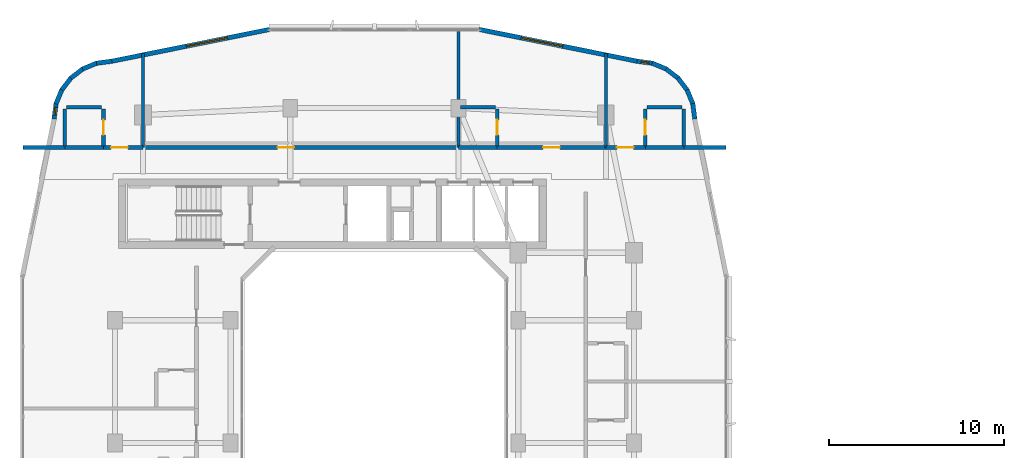
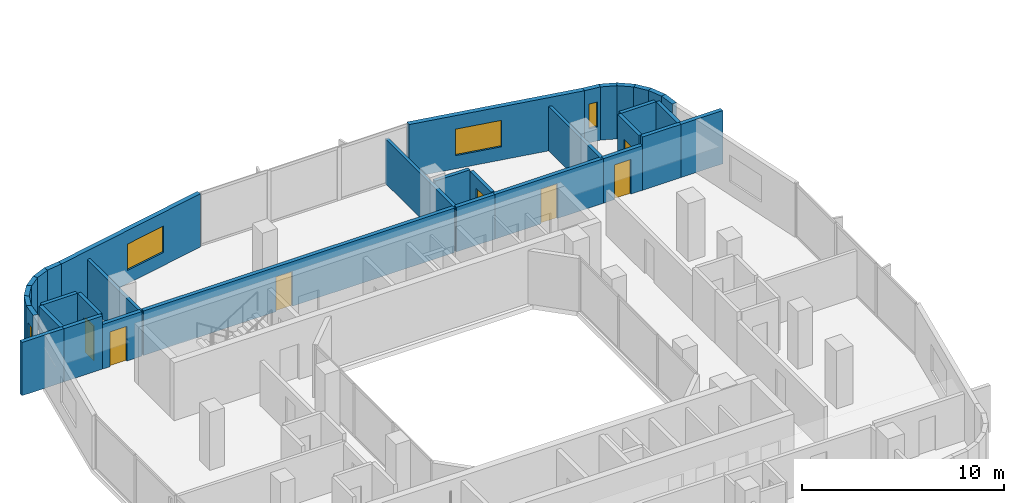
# One storey, part 16 of 26: 34 walls, 7 doors, 4 windows, 11 openings.
"""IFC4 building model written with IfcOpenShell, lengths in metres."""

from ifc_helpers import new_model, si_unit, derived_unit, direction, frame, frame_2d, origin, place, context, subcontext, project, spatial, rectangle, extrude, material, layer, layer_set, type_object, element, fill, save


model = new_model("IFC4")

# Units and contexts
model_context = context("Model", 3, precision=1e-05, world=origin(), true_north=direction((0.0, 1.0)))
body_context = subcontext(model_context, "Body", "Model", "MODEL_VIEW")
ifc_project = project(units=[si_unit("LENGTHUNIT", "METRE"), si_unit("AREAUNIT", "SQUARE_METRE"), si_unit("VOLUMEUNIT", "CUBIC_METRE"), si_unit("PLANEANGLEUNIT", "RADIAN"), si_unit("MASSUNIT", "GRAM", prefix="KILO"), derived_unit("THERMALTRANSMITTANCEUNIT", [(si_unit("POWERUNIT", "WATT"), 1), (si_unit("LENGTHUNIT", "METRE"), -2), (si_unit("THERMODYNAMICTEMPERATUREUNIT", "KELVIN"), -1)])], contexts=[model_context])

# Site, building, storey
site_placement = place(None, origin())
site = spatial("IfcSite", under=ifc_project, at=site_placement, CompositionType="ELEMENT")
building_placement = place(site_placement, origin())
building = spatial("IfcBuilding", under=site, at=building_placement, Name="Kivonza Crest Hotel", CompositionType="ELEMENT")
storey_placement = place(building_placement, frame((0.0, 0.0, 127.5)))
storey = spatial("IfcBuildingStorey", under=building, at=storey_placement, Name="L34", CompositionType="ELEMENT", Elevation=127.5)

# Walls
ifc_material_1 = material(Name="High-density acoustic masonry inter-tenancy wall", Category="masonry")
ifc_layer_1 = layer(ifc_material_1, 0.179931640625)
ifc_layer_set_1 = layer_set([ifc_layer_1], Name="High-density acoustic masonry inter-tenancy wall")
wall_type_1 = type_object("IfcWallType", Name="WL-ACOU-180", PredefinedType="SOLIDWALL", material=ifc_layer_set_1)
wall_1_placement = place(storey_placement, frame((7.800048828125, 38.35009765625, 0.0), z_axis=(0.0, 0.0, 1.0), x_axis=(0.0, 1.0, 0.0)))
element("IfcWall", 1, at=wall_1_placement, inside=storey, type_object=wall_type_1, Name="L34 interior partition WA-L34-T1N-DIV1", PredefinedType="SOLIDWALL", context=body_context, shape_type="SweptSolid", body=[
    extrude(rectangle(XDim=5.350830078125, YDim=0.179931640625, at=frame_2d((2.67529296875, 0.0))), origin(), (0.0, 0.0, 1.0), 2.695068359375),
])
wall_2_placement = place(storey_placement, frame((25.800048828125, 38.35009765625, 0.0), z_axis=(0.0, 0.0, 1.0), x_axis=(0.0, 1.0, 0.0)))
element("IfcWall", 2, at=wall_2_placement, inside=storey, type_object=wall_type_1, Name="L34 interior partition WA-L34-T1N-DIV2", PredefinedType="SOLIDWALL", context=body_context, shape_type="SweptSolid", body=[
    extrude(rectangle(XDim=6.789794921875, YDim=0.179931640625, at=frame_2d((3.39501953125, 0.0))), origin(), (0.0, 0.0, 1.0), 2.695068359375),
])
wall_3_placement = place(storey_placement, frame((34.199951171875, 38.35009765625, 0.0), z_axis=(0.0, 0.0, 1.0), x_axis=(0.0, 1.0, 0.0)))
element("IfcWall", 3, at=wall_3_placement, inside=storey, type_object=wall_type_1, Name="L34 interior partition WA-L34-T1N-DIV3", PredefinedType="SOLIDWALL", context=body_context, shape_type="SweptSolid", body=[
    extrude(rectangle(XDim=5.350830078125, YDim=0.179931640625, at=frame_2d((2.67529296875, 0.0))), origin(), (0.0, 0.0, 1.0), 2.695068359375),
])
ifc_material_2 = material(Name="Autoclaved aerated concrete blockwork", Category="masonry")
ifc_layer_2 = layer(ifc_material_2, 0.219970703125)
ifc_layer_set_2 = layer_set([ifc_layer_2], Name="Autoclaved aerated concrete blockwork")
wall_type_2 = type_object("IfcWallType", Name="WL-ACOU-220", PredefinedType="SOLIDWALL", material=ifc_layer_set_2)
wall_4_placement = place(storey_placement, frame((0.9599609375, 38.35009765625, 0.0), z_axis=(0.0, 0.0, 1.0), x_axis=(1.0, 0.0, 0.0)))
element("IfcWall", 4, at=wall_4_placement, inside=storey, type_object=wall_type_2, Name="L34 interior partition WA-L34-N01-XCORR", PredefinedType="SOLIDWALL", context=body_context, shape_type="SweptSolid", body=[
    extrude(rectangle(XDim=2.39013671875, YDim=0.219970703125, at=frame_2d((1.195068359375, 0.0))), origin(), (0.0, 0.0, 1.0), 3.219970703125),
])
wall_5_placement = place(storey_placement, frame((3.35009765625, 38.35009765625, 0.0), z_axis=(0.0, 0.0, 1.0), x_axis=(1.0, 0.0, 0.0)))
element("IfcWall", 5, at=wall_5_placement, inside=storey, type_object=wall_type_2, Name="L34 interior partition WA-L34-N01-BCORR", PredefinedType="SOLIDWALL", context=body_context, shape_type="SweptSolid", body=[
    extrude(rectangle(XDim=2.199951171875, YDim=0.219970703125, at=frame_2d((1.10009765625, 0.0))), origin(), (0.0, 0.0, 1.0), 3.219970703125),
])

# Wall, opening, door
wall_6_placement = place(storey_placement, frame((5.550048828125, 38.35009765625, 0.0), z_axis=(0.0, 0.0, 1.0), x_axis=(1.0, 0.0, 0.0)))
wall_6 = element("IfcWall", 6, at=wall_6_placement, inside=storey, type_object=wall_type_2, Name="L34 interior partition WA-L34-N01-MCORR", PredefinedType="SOLIDWALL", context=body_context, shape_type="SweptSolid", body=[
    extrude(rectangle(XDim=2.25, YDim=0.219970703125, at=frame_2d((1.125, 0.0))), origin(), (0.0, 0.0, 1.0), 2.695068359375),
])
opening_1_placement = place(wall_6_placement, frame((0.43994140625, 0.0, 0.0)))
opening_1 = element("IfcOpeningElement", 7, at=opening_1_placement, cuts=wall_6, Name="Opening DU-60", PredefinedType="OPENING", context=body_context, shape_type="SweptSolid", body=[
    extrude(rectangle(XDim=0.949951171875, YDim=2.10009765625, at=frame_2d((0.47509765625, 1.050048828125))), frame((0.0, 0.1201171875, 0.0), z_axis=(0.0, -1.0, 0.0), x_axis=(1.0, 0.0, 0.0)), (0.0, 0.0, 1.0), 0.239990234375),
])
ifc_material_3 = material(Name="Hardwood timber oak", Category="wood")
door_type_1 = type_object("IfcDoorType", Name="DR-UNIT-950", OperationType="NOTDEFINED", PredefinedType="DOOR", material=ifc_material_3)
door_1_placement = place(opening_1_placement, origin())
door_1 = element("IfcDoor", 8, at=door_1_placement, inside=storey, type_object=door_type_1, Name="L34 N01 guest unit entrance fire door", OperationType="SINGLE_SWING_LEFT", OverallHeight=2.10009765625, OverallWidth=0.949951171875, PredefinedType="DOOR", context=body_context, shape_type="SweptSolid", body=[
    extrude(rectangle(XDim=0.949951171875, YDim=2.10009765625, at=frame_2d((0.47509765625, 1.050048828125))), frame((0.0, 0.02490234375, 0.0), z_axis=(0.0, -1.0, 0.0), x_axis=(1.0, 0.0, 0.0)), (0.0, 0.0, 1.0), 0.050048828125),
])
fill(opening_1, door_1)

wall_7_placement = place(storey_placement, frame((7.89990234375, 38.35009765625, 0.0), z_axis=(0.0, 0.0, 1.0), x_axis=(1.0, 0.0, 0.0)))
wall_7 = element("IfcWall", 9, at=wall_7_placement, inside=storey, type_object=wall_type_2, Name="L34 interior partition WA-L34-HK-MAIN-S", PredefinedType="SOLIDWALL", context=body_context, shape_type="SweptSolid", body=[
    extrude(rectangle(XDim=17.800048828125, YDim=0.219970703125, at=frame_2d((8.89990234375, 0.0))), origin(), (0.0, 0.0, 1.0), 2.695068359375),
])
opening_2_placement = place(wall_7_placement, frame((7.572998046875, 0.0, 0.0)))
opening_2 = element("IfcOpeningElement", 10, at=opening_2_placement, cuts=wall_7, Name="Opening DF-60S", PredefinedType="OPENING", context=body_context, shape_type="SweptSolid", body=[
    extrude(rectangle(XDim=0.949951171875, YDim=2.10009765625, at=frame_2d((0.47509765625, 1.050048828125))), frame((0.0, 0.1201171875, 0.0), z_axis=(0.0, -1.0, 0.0), x_axis=(1.0, 0.0, 0.0)), (0.0, 0.0, 1.0), 0.239990234375),
])
door_type_2 = type_object("IfcDoorType", Name="DR-FD60-950", OperationType="NOTDEFINED", PredefinedType="DOOR", material=ifc_material_3)
door_2_placement = place(opening_2_placement, origin())
door_2 = element("IfcDoor", 11, at=door_2_placement, inside=storey, type_object=door_type_2, Name="L34 Housekeeping and Linen Room door", OperationType="SINGLE_SWING_RIGHT", OverallHeight=2.10009765625, OverallWidth=0.949951171875, PredefinedType="DOOR", context=body_context, shape_type="SweptSolid", body=[
    extrude(rectangle(XDim=0.949951171875, YDim=2.10009765625, at=frame_2d((0.47509765625, 1.050048828125))), frame((0.0, 0.02490234375, 0.0), z_axis=(0.0, -1.0, 0.0), x_axis=(1.0, 0.0, 0.0)), (0.0, 0.0, 1.0), 0.050048828125),
])
fill(opening_2, door_2)

# Wall
wall_8_placement = place(storey_placement, frame((25.800048828125, 38.35009765625, 0.0), z_axis=(0.0, 0.0, 1.0), x_axis=(1.0, 0.0, 0.0)))
element("IfcWall", 12, at=wall_8_placement, inside=storey, type_object=wall_type_2, Name="L34 interior partition WA-L34-N02-BCORR", PredefinedType="SOLIDWALL", context=body_context, shape_type="SweptSolid", body=[
    extrude(rectangle(XDim=2.199951171875, YDim=0.219970703125, at=frame_2d((1.10009765625, 0.0))), origin(), (0.0, 0.0, 1.0), 2.695068359375),
])

# Wall, opening, door
wall_9_placement = place(storey_placement, frame((28.0, 38.35009765625, 0.0), z_axis=(0.0, 0.0, 1.0), x_axis=(1.0, 0.0, 0.0)))
wall_9 = element("IfcWall", 13, at=wall_9_placement, inside=storey, type_object=wall_type_2, Name="L34 interior partition WA-L34-N02-MCORR", PredefinedType="SOLIDWALL", context=body_context, shape_type="SweptSolid", body=[
    extrude(rectangle(XDim=6.199951171875, YDim=0.219970703125, at=frame_2d((3.10009765625, 0.0))), origin(), (0.0, 0.0, 1.0), 2.695068359375),
])
opening_3_placement = place(wall_9_placement, frame((2.625, 0.0, 0.0)))
opening_3 = element("IfcOpeningElement", 14, at=opening_3_placement, cuts=wall_9, Name="Opening DU-60", PredefinedType="OPENING", context=body_context, shape_type="SweptSolid", body=[
    extrude(rectangle(XDim=0.949951171875, YDim=2.10009765625, at=frame_2d((0.47509765625, 1.050048828125))), frame((0.0, 0.1201171875, 0.0), z_axis=(0.0, -1.0, 0.0), x_axis=(1.0, 0.0, 0.0)), (0.0, 0.0, 1.0), 0.239990234375),
])
door_3_placement = place(opening_3_placement, origin())
door_3 = element("IfcDoor", 15, at=door_3_placement, inside=storey, type_object=door_type_1, Name="L34 N02 guest unit entrance fire door", OperationType="SINGLE_SWING_RIGHT", OverallHeight=2.10009765625, OverallWidth=0.949951171875, PredefinedType="DOOR", context=body_context, shape_type="SweptSolid", body=[
    extrude(rectangle(XDim=0.949951171875, YDim=2.10009765625, at=frame_2d((0.47509765625, 1.050048828125))), frame((0.0, 0.02490234375, 0.0), z_axis=(0.0, -1.0, 0.0), x_axis=(1.0, 0.0, 0.0)), (0.0, 0.0, 1.0), 0.050048828125),
])
fill(opening_3, door_3)

# Walls
wall_10_placement = place(storey_placement, frame((38.64990234375, 38.35009765625, 0.0), z_axis=(0.0, 0.0, 1.0), x_axis=(1.0, 0.0, 0.0)))
element("IfcWall", 16, at=wall_10_placement, inside=storey, type_object=wall_type_2, Name="L34 interior partition WA-L34-N03-XCORR", PredefinedType="SOLIDWALL", context=body_context, shape_type="SweptSolid", body=[
    extrude(rectangle(XDim=2.39013671875, YDim=0.219970703125, at=frame_2d((1.195068359375, 0.0))), origin(), (0.0, 0.0, 1.0), 3.219970703125),
])
wall_11_placement = place(storey_placement, frame((36.449951171875, 38.35009765625, 0.0), z_axis=(0.0, 0.0, 1.0), x_axis=(1.0, 0.0, 0.0)))
element("IfcWall", 17, at=wall_11_placement, inside=storey, type_object=wall_type_2, Name="L34 interior partition WA-L34-N03-BCORR", PredefinedType="SOLIDWALL", context=body_context, shape_type="SweptSolid", body=[
    extrude(rectangle(XDim=2.199951171875, YDim=0.219970703125, at=frame_2d((1.10009765625, 0.0))), origin(), (0.0, 0.0, 1.0), 3.219970703125),
])

# Wall, opening, door
wall_12_placement = place(storey_placement, frame((34.199951171875, 38.35009765625, 0.0), z_axis=(0.0, 0.0, 1.0), x_axis=(1.0, 0.0, 0.0)))
wall_12 = element("IfcWall", 18, at=wall_12_placement, inside=storey, type_object=wall_type_2, Name="L34 interior partition WA-L34-N03-MCORR", PredefinedType="SOLIDWALL", context=body_context, shape_type="SweptSolid", body=[
    extrude(rectangle(XDim=2.25, YDim=0.219970703125, at=frame_2d((1.125, 0.0))), origin(), (0.0, 0.0, 1.0), 2.695068359375),
])
opening_4_placement = place(wall_12_placement, frame((0.6298828125, 0.0, 0.0)))
opening_4 = element("IfcOpeningElement", 19, at=opening_4_placement, cuts=wall_12, Name="Opening DU-60", PredefinedType="OPENING", context=body_context, shape_type="SweptSolid", body=[
    extrude(rectangle(XDim=0.949951171875, YDim=2.10009765625, at=frame_2d((0.47509765625, 1.050048828125))), frame((0.0, 0.1201171875, 0.0), z_axis=(0.0, -1.0, 0.0), x_axis=(1.0, 0.0, 0.0)), (0.0, 0.0, 1.0), 0.239990234375),
])
door_4_placement = place(opening_4_placement, origin())
door_4 = element("IfcDoor", 20, at=door_4_placement, inside=storey, type_object=door_type_1, Name="L34 N03 guest unit entrance fire door", OperationType="SINGLE_SWING_LEFT", OverallHeight=2.10009765625, OverallWidth=0.949951171875, PredefinedType="DOOR", context=body_context, shape_type="SweptSolid", body=[
    extrude(rectangle(XDim=0.949951171875, YDim=2.10009765625, at=frame_2d((0.47509765625, 1.050048828125))), frame((0.0, 0.02490234375, 0.0), z_axis=(0.0, -1.0, 0.0), x_axis=(1.0, 0.0, 0.0)), (0.0, 0.0, 1.0), 0.050048828125),
])
fill(opening_4, door_4)

# Walls
ifc_material_4 = material(Name="Precast concrete C40/50", Category="concrete")
ifc_layer_3 = layer(ifc_material_4, 0.260009765625)
ifc_layer_set_3 = layer_set([ifc_layer_3], Name="Precast concrete C40/50")
wall_type_3 = type_object("IfcWallType", Name="WL-EXT-260", PredefinedType="STANDARD", material=ifc_layer_set_3)
wall_13_placement = place(storey_placement, frame((39.27197265625, 39.97509765625, 0.0), z_axis=(0.0, 0.0, 1.0), x_axis=(-0.130953706898, 0.991388484223, 0.0)))
element("IfcWall", 21, at=wall_13_placement, inside=storey, type_object=wall_type_3, Name="L34 T1 exterior insulated wall 19", PredefinedType="STANDARD", context=body_context, shape_type="SweptSolid", body=[
    extrude(rectangle(XDim=0.885498046875, YDim=0.260009765625, at=frame_2d((0.44287109375, 0.0))), origin(), (0.0, 0.0, 1.0), 3.219970703125),
])
wall_14_placement = place(storey_placement, frame((39.174072265625, 40.806884765625, 0.0), z_axis=(0.0, 0.0, 1.0), x_axis=(-0.383290660547, 0.923627776508, 0.0)))
element("IfcWall", 22, at=wall_14_placement, inside=storey, type_object=wall_type_3, Name="L34 T1 exterior insulated wall 20", PredefinedType="STANDARD", context=body_context, shape_type="SweptSolid", body=[
    extrude(rectangle(XDim=0.9033203125, YDim=0.260009765625, at=frame_2d((0.45166015625, 0.0))), origin(), (0.0, 0.0, 1.0), 3.219970703125),
])
wall_15_placement = place(storey_placement, frame((38.85595703125, 41.60107421875, 0.0), z_axis=(0.0, 0.0, 1.0), x_axis=(-0.608624690463, 0.793458244748, 0.0)))
element("IfcWall", 23, at=wall_15_placement, inside=storey, type_object=wall_type_3, Name="L34 T1 exterior insulated wall 21", PredefinedType="STANDARD", context=body_context, shape_type="SweptSolid", body=[
    extrude(rectangle(XDim=0.902099609375, YDim=0.260009765625, at=frame_2d((0.451171875, 0.0))), origin(), (0.0, 0.0, 1.0), 3.219970703125),
])
wall_16_placement = place(storey_placement, frame((38.344970703125, 42.285888671875, 0.0), z_axis=(0.0, 0.0, 1.0), x_axis=(-0.793558456666, 0.608494022858, 0.0)))
element("IfcWall", 24, at=wall_16_placement, inside=storey, type_object=wall_type_3, Name="L34 T1 exterior insulated wall 22", PredefinedType="STANDARD", context=body_context, shape_type="SweptSolid", body=[
    extrude(rectangle(XDim=0.90234375, YDim=0.260009765625, at=frame_2d((0.451171875, 0.0))), origin(), (0.0, 0.0, 1.0), 3.219970703125),
])
wall_17_placement = place(storey_placement, frame((37.673095703125, 42.81396484375, 0.0), z_axis=(0.0, 0.0, 1.0), x_axis=(-0.923683767999, 0.383155708213, 0.0)))
element("IfcWall", 25, at=wall_17_placement, inside=storey, type_object=wall_type_3, Name="L34 T1 exterior insulated wall 23", PredefinedType="STANDARD", context=body_context, shape_type="SweptSolid", body=[
    extrude(rectangle(XDim=0.90283203125, YDim=0.260009765625, at=frame_2d((0.451416015625, 0.0))), origin(), (0.0, 0.0, 1.0), 3.219970703125),
])

# Wall, opening, window
wall_18_placement = place(storey_placement, frame((36.887939453125, 43.152099609375, 0.0), z_axis=(0.0, 0.0, 1.0), x_axis=(-0.991487658083, 0.130200706103, 0.0)))
wall_18 = element("IfcWall", 26, at=wall_18_placement, inside=storey, type_object=wall_type_3, Name="L34 T1 exterior insulated wall 24", PredefinedType="STANDARD", context=body_context, shape_type="SweptSolid", body=[
    extrude(rectangle(XDim=0.920654296875, YDim=0.260009765625, at=frame_2d((0.46044921875, 0.0))), origin(), (0.0, 0.0, 1.0), 3.219970703125),
])
opening_5_placement = place(wall_18_placement, frame((0.235107421875, 0.0, 0.85009765625)))
opening_5 = element("IfcOpeningElement", 27, at=opening_5_placement, cuts=wall_18, Name="Opening WN-11", PredefinedType="OPENING", context=body_context, shape_type="SweptSolid", body=[
    extrude(rectangle(XDim=0.449951171875, YDim=1.5, at=frame_2d((0.22509765625, 0.75))), frame((0.0, 0.14013671875, 0.0), z_axis=(0.0, -1.0, 0.0), x_axis=(1.0, 0.0, 0.0)), (0.0, 0.0, 1.0), 0.280029296875),
])
ifc_material_5 = material(Name="Thermally broken bronze aluminium and low-E double glazing", Category="aluminium")
window_type_1 = type_object("IfcWindowType", Name="WN-045x150", PartitioningType="SINGLE_PANEL", PredefinedType="WINDOW", material=ifc_material_5)
window_1_placement = place(opening_5_placement, origin())
window_1 = element("IfcWindow", 28, at=window_1_placement, inside=storey, type_object=window_type_1, Name="L34 corner vision window 2", OverallHeight=1.5, OverallWidth=0.449951171875, PartitioningType="SINGLE_PANEL", PredefinedType="WINDOW", context=body_context, shape_type="SweptSolid", body=[
    extrude(rectangle(XDim=0.449951171875, YDim=1.5, at=frame_2d((0.22509765625, 0.75))), frame((0.0, 0.030029296875, 0.0), z_axis=(0.0, -1.0, 0.0), x_axis=(1.0, 0.0, 0.0)), (0.0, 0.0, 1.0), 0.06005859375),
])
fill(opening_5, window_1)

wall_19_placement = place(storey_placement, frame((35.98193359375, 43.27099609375, 0.0), z_axis=(0.0, 0.0, 1.0), x_axis=(-0.980315963543, 0.197435082048, 0.0)))
wall_19 = element("IfcWall", 29, at=wall_19_placement, inside=storey, type_object=wall_type_3, Name="L34 T1 exterior insulated wall 25", PredefinedType="STANDARD", context=body_context, shape_type="SweptSolid", body=[
    extrude(rectangle(XDim=9.1826171875, YDim=0.260009765625, at=frame_2d((4.59130859375, 0.0))), origin(), (0.0, 0.0, 1.0), 3.219970703125),
])
opening_6_placement = place(wall_19_placement, frame((4.3369140625, 0.0, 0.800048828125)))
opening_6 = element("IfcOpeningElement", 30, at=opening_6_placement, cuts=wall_19, Name="Opening WN-05", PredefinedType="OPENING", context=body_context, shape_type="SweptSolid", body=[
    extrude(rectangle(XDim=2.39990234375, YDim=1.60009765625, at=frame_2d((1.199951171875, 0.800048828125))), frame((0.0, 0.14013671875, 0.0), z_axis=(0.0, -1.0, 0.0), x_axis=(1.0, 0.0, 0.0)), (0.0, 0.0, 1.0), 0.280029296875),
])
window_type_2 = type_object("IfcWindowType", Name="WN-240x160", PartitioningType="TRIPLE_PANEL_VERTICAL", PredefinedType="WINDOW", material=ifc_material_5)
window_2_placement = place(opening_6_placement, origin())
window_2 = element("IfcWindow", 31, at=window_2_placement, inside=storey, type_object=window_type_2, Name="L34 T1 facade window 25", OverallHeight=1.60009765625, OverallWidth=2.39990234375, PartitioningType="SINGLE_PANEL", PredefinedType="WINDOW", context=body_context, shape_type="SweptSolid", body=[
    extrude(rectangle(XDim=2.39990234375, YDim=1.60009765625, at=frame_2d((1.199951171875, 0.800048828125))), frame((0.0, 0.030029296875, 0.0), z_axis=(0.0, -1.0, 0.0), x_axis=(1.0, 0.0, 0.0)), (0.0, 0.0, 1.0), 0.06005859375),
])
fill(opening_6, window_2)

wall_20_placement = place(storey_placement, frame((15.02001953125, 45.083984375, 0.0), z_axis=(0.0, 0.0, 1.0), x_axis=(-0.980315963543, -0.197435082048, 0.0)))
wall_20 = element("IfcWall", 32, at=wall_20_placement, inside=storey, type_object=wall_type_3, Name="L34 T1 exterior insulated wall 27", PredefinedType="STANDARD", context=body_context, shape_type="SweptSolid", body=[
    extrude(rectangle(XDim=9.1826171875, YDim=0.260009765625, at=frame_2d((4.59130859375, 0.0))), origin(), (0.0, 0.0, 1.0), 3.219970703125),
])
opening_7_placement = place(wall_20_placement, frame((2.445068359375, 0.0, 0.800048828125)))
opening_7 = element("IfcOpeningElement", 33, at=opening_7_placement, cuts=wall_20, Name="Opening WN-05", PredefinedType="OPENING", context=body_context, shape_type="SweptSolid", body=[
    extrude(rectangle(XDim=2.39990234375, YDim=1.60009765625, at=frame_2d((1.199951171875, 0.800048828125))), frame((0.0, 0.14013671875, 0.0), z_axis=(0.0, -1.0, 0.0), x_axis=(1.0, 0.0, 0.0)), (0.0, 0.0, 1.0), 0.280029296875),
])
window_3_placement = place(opening_7_placement, origin())
window_3 = element("IfcWindow", 34, at=window_3_placement, inside=storey, type_object=window_type_2, Name="L34 T1 facade window 27", OverallHeight=1.60009765625, OverallWidth=2.39990234375, PartitioningType="SINGLE_PANEL", PredefinedType="WINDOW", context=body_context, shape_type="SweptSolid", body=[
    extrude(rectangle(XDim=2.39990234375, YDim=1.60009765625, at=frame_2d((1.199951171875, 0.800048828125))), frame((0.0, 0.030029296875, 0.0), z_axis=(0.0, -1.0, 0.0), x_axis=(1.0, 0.0, 0.0)), (0.0, 0.0, 1.0), 0.06005859375),
])
fill(opening_7, window_3)

# Walls
wall_21_placement = place(storey_placement, frame((6.02490234375, 43.27197265625, 0.0), z_axis=(0.0, 0.0, 1.0), x_axis=(-0.991388484223, -0.130953706898, 0.0)))
element("IfcWall", 35, at=wall_21_placement, inside=storey, type_object=wall_type_3, Name="L34 T1 exterior insulated wall 28", PredefinedType="STANDARD", context=body_context, shape_type="SweptSolid", body=[
    extrude(rectangle(XDim=0.885498046875, YDim=0.260009765625, at=frame_2d((0.44287109375, 0.0))), origin(), (0.0, 0.0, 1.0), 3.219970703125),
])
wall_22_placement = place(storey_placement, frame((5.193115234375, 43.174072265625, 0.0), z_axis=(0.0, 0.0, 1.0), x_axis=(-0.923627776508, -0.383290660547, 0.0)))
element("IfcWall", 36, at=wall_22_placement, inside=storey, type_object=wall_type_3, Name="L34 T1 exterior insulated wall 29", PredefinedType="STANDARD", context=body_context, shape_type="SweptSolid", body=[
    extrude(rectangle(XDim=0.9033203125, YDim=0.260009765625, at=frame_2d((0.45166015625, 0.0))), origin(), (0.0, 0.0, 1.0), 3.219970703125),
])
wall_23_placement = place(storey_placement, frame((4.39892578125, 42.85595703125, 0.0), z_axis=(0.0, 0.0, 1.0), x_axis=(-0.793458244748, -0.608624690463, 0.0)))
element("IfcWall", 37, at=wall_23_placement, inside=storey, type_object=wall_type_3, Name="L34 T1 exterior insulated wall 30", PredefinedType="STANDARD", context=body_context, shape_type="SweptSolid", body=[
    extrude(rectangle(XDim=0.902099609375, YDim=0.260009765625, at=frame_2d((0.451171875, 0.0))), origin(), (0.0, 0.0, 1.0), 3.219970703125),
])
wall_24_placement = place(storey_placement, frame((3.714111328125, 42.344970703125, 0.0), z_axis=(0.0, 0.0, 1.0), x_axis=(-0.608494022858, -0.793558456666, 0.0)))
element("IfcWall", 38, at=wall_24_placement, inside=storey, type_object=wall_type_3, Name="L34 T1 exterior insulated wall 31", PredefinedType="STANDARD", context=body_context, shape_type="SweptSolid", body=[
    extrude(rectangle(XDim=0.90234375, YDim=0.260009765625, at=frame_2d((0.451171875, 0.0))), origin(), (0.0, 0.0, 1.0), 3.219970703125),
])
wall_25_placement = place(storey_placement, frame((3.18603515625, 41.673095703125, 0.0), z_axis=(0.0, 0.0, 1.0), x_axis=(-0.383155708213, -0.923683767999, 0.0)))
element("IfcWall", 39, at=wall_25_placement, inside=storey, type_object=wall_type_3, Name="L34 T1 exterior insulated wall 32", PredefinedType="STANDARD", context=body_context, shape_type="SweptSolid", body=[
    extrude(rectangle(XDim=0.90283203125, YDim=0.260009765625, at=frame_2d((0.451416015625, 0.0))), origin(), (0.0, 0.0, 1.0), 3.219970703125),
])

# Wall, opening, window
wall_26_placement = place(storey_placement, frame((2.847900390625, 40.887939453125, 0.0), z_axis=(0.0, 0.0, 1.0), x_axis=(-0.130200706103, -0.991487658083, 0.0)))
wall_26 = element("IfcWall", 40, at=wall_26_placement, inside=storey, type_object=wall_type_3, Name="L34 T1 exterior insulated wall 33", PredefinedType="STANDARD", context=body_context, shape_type="SweptSolid", body=[
    extrude(rectangle(XDim=0.920654296875, YDim=0.260009765625, at=frame_2d((0.46044921875, 0.0))), origin(), (0.0, 0.0, 1.0), 3.219970703125),
])
opening_8_placement = place(wall_26_placement, frame((0.235107421875, 0.0, 0.85009765625)))
opening_8 = element("IfcOpeningElement", 41, at=opening_8_placement, cuts=wall_26, Name="Opening WN-11", PredefinedType="OPENING", context=body_context, shape_type="SweptSolid", body=[
    extrude(rectangle(XDim=0.449951171875, YDim=1.5, at=frame_2d((0.22509765625, 0.75))), frame((0.0, 0.14013671875, 0.0), z_axis=(0.0, -1.0, 0.0), x_axis=(1.0, 0.0, 0.0)), (0.0, 0.0, 1.0), 0.280029296875),
])
window_4_placement = place(opening_8_placement, origin())
window_4 = element("IfcWindow", 42, at=window_4_placement, inside=storey, type_object=window_type_1, Name="L34 corner vision window 1", OverallHeight=1.5, OverallWidth=0.449951171875, PartitioningType="SINGLE_PANEL", PredefinedType="WINDOW", context=body_context, shape_type="SweptSolid", body=[
    extrude(rectangle(XDim=0.449951171875, YDim=1.5, at=frame_2d((0.22509765625, 0.75))), frame((0.0, 0.030029296875, 0.0), z_axis=(0.0, -1.0, 0.0), x_axis=(1.0, 0.0, 0.0)), (0.0, 0.0, 1.0), 0.06005859375),
])
fill(opening_8, window_4)

# Wall, opening, door
ifc_material_6 = material(Name="Moisture-resistant plumbing chase partition wall", Category="gypsum")
ifc_layer_4 = layer(ifc_material_6, 0.199951171875)
ifc_layer_set_4 = layer_set([ifc_layer_4], Name="Moisture-resistant plumbing chase partition wall")
wall_type_4 = type_object("IfcWallType", Name="WL-PLUMB-200", PredefinedType="PLUMBINGWALL", material=ifc_layer_set_4)
wall_27_placement = place(storey_placement, frame((5.550048828125, 38.449951171875, 0.0), z_axis=(0.0, 0.0, 1.0), x_axis=(0.0, 1.0, 0.0)))
wall_27 = element("IfcWall", 43, at=wall_27_placement, inside=storey, type_object=wall_type_4, Name="L34 interior partition WW-L34-N01-BV", PredefinedType="PLUMBINGWALL", context=body_context, shape_type="SweptSolid", body=[
    extrude(rectangle(XDim=2.10009765625, YDim=0.199951171875, at=frame_2d((1.050048828125, 0.0))), origin(), (0.0, 0.0, 1.0), 3.219970703125),
])
opening_9_placement = place(wall_27_placement, frame((0.625, 0.0, 0.0)))
opening_9 = element("IfcOpeningElement", 44, at=opening_9_placement, cuts=wall_27, Name="Opening DI-85", PredefinedType="OPENING", context=body_context, shape_type="SweptSolid", body=[
    extrude(rectangle(XDim=0.85009765625, YDim=2.10009765625, at=frame_2d((0.425048828125, 1.050048828125))), frame((0.0, 0.10986328125, 0.0), z_axis=(0.0, -1.0, 0.0), x_axis=(1.0, 0.0, 0.0)), (0.0, 0.0, 1.0), 0.219970703125),
])
door_type_3 = type_object("IfcDoorType", Name="DR-INT-850", OperationType="NOTDEFINED", PredefinedType="DOOR", material=ifc_material_3)
door_5_placement = place(opening_9_placement, frame((0.85009765625, 0.0, 0.0), z_axis=(0.0, 0.0, 1.0), x_axis=(-1.0, 0.0, 0.0)))
door_5 = element("IfcDoor", 45, at=door_5_placement, inside=storey, type_object=door_type_3, Name="L34 N01 en-suite bathroom door", OperationType="SINGLE_SWING_RIGHT", OverallHeight=2.10009765625, OverallWidth=0.85009765625, PredefinedType="DOOR", context=body_context, shape_type="SweptSolid", body=[
    extrude(rectangle(XDim=0.85009765625, YDim=2.10009765625, at=frame_2d((0.425048828125, 1.050048828125))), frame((0.0, 0.02490234375, 0.0), z_axis=(0.0, -1.0, 0.0), x_axis=(1.0, 0.0, 0.0)), (0.0, 0.0, 1.0), 0.050048828125),
])
fill(opening_9, door_5)

# Walls
wall_28_placement = place(storey_placement, frame((3.449951171875, 40.64990234375, 0.0), z_axis=(0.0, 0.0, 1.0), x_axis=(1.0, 0.0, 0.0)))
element("IfcWall", 46, at=wall_28_placement, inside=storey, type_object=wall_type_4, Name="L34 interior partition WW-L34-N01-BH", PredefinedType="PLUMBINGWALL", context=body_context, shape_type="SweptSolid", body=[
    extrude(rectangle(XDim=2.0, YDim=0.199951171875, at=frame_2d((1.0, 0.0))), origin(), (0.0, 0.0, 1.0), 3.219970703125),
])
wall_29_placement = place(storey_placement, frame((3.35009765625, 38.449951171875, 0.0), z_axis=(0.0, 0.0, 1.0), x_axis=(0.0, 1.0, 0.0)))
element("IfcWall", 47, at=wall_29_placement, inside=storey, type_object=wall_type_4, Name="L34 interior partition WW-L34-N01-BVW", PredefinedType="PLUMBINGWALL", context=body_context, shape_type="SweptSolid", body=[
    extrude(rectangle(XDim=2.10009765625, YDim=0.199951171875, at=frame_2d((1.050048828125, 0.0))), origin(), (0.0, 0.0, 1.0), 3.219970703125),
])

# Wall, opening, door
wall_30_placement = place(storey_placement, frame((28.0, 38.449951171875, 0.0), z_axis=(0.0, 0.0, 1.0), x_axis=(0.0, 1.0, 0.0)))
wall_30 = element("IfcWall", 48, at=wall_30_placement, inside=storey, type_object=wall_type_4, Name="L34 interior partition WW-L34-N02-BV", PredefinedType="PLUMBINGWALL", context=body_context, shape_type="SweptSolid", body=[
    extrude(rectangle(XDim=2.10009765625, YDim=0.199951171875, at=frame_2d((1.050048828125, 0.0))), origin(), (0.0, 0.0, 1.0), 2.7451171875),
])
opening_10_placement = place(wall_30_placement, frame((0.625, 0.0, 0.0)))
opening_10 = element("IfcOpeningElement", 49, at=opening_10_placement, cuts=wall_30, Name="Opening DI-85", PredefinedType="OPENING", context=body_context, shape_type="SweptSolid", body=[
    extrude(rectangle(XDim=0.85009765625, YDim=2.10009765625, at=frame_2d((0.425048828125, 1.050048828125))), frame((0.0, 0.10986328125, 0.0), z_axis=(0.0, -1.0, 0.0), x_axis=(1.0, 0.0, 0.0)), (0.0, 0.0, 1.0), 0.219970703125),
])
door_6_placement = place(opening_10_placement, frame((0.85009765625, 0.0, 0.0), z_axis=(0.0, 0.0, 1.0), x_axis=(-1.0, 0.0, 0.0)))
door_6 = element("IfcDoor", 50, at=door_6_placement, inside=storey, type_object=door_type_3, Name="L34 N02 en-suite bathroom door", OperationType="SINGLE_SWING_LEFT", OverallHeight=2.10009765625, OverallWidth=0.85009765625, PredefinedType="DOOR", context=body_context, shape_type="SweptSolid", body=[
    extrude(rectangle(XDim=0.85009765625, YDim=2.10009765625, at=frame_2d((0.425048828125, 1.050048828125))), frame((0.0, 0.02490234375, 0.0), z_axis=(0.0, -1.0, 0.0), x_axis=(1.0, 0.0, 0.0)), (0.0, 0.0, 1.0), 0.050048828125),
])
fill(opening_10, door_6)

# Wall
wall_31_placement = place(storey_placement, frame((25.89990234375, 40.64990234375, 0.0), z_axis=(0.0, 0.0, 1.0), x_axis=(1.0, 0.0, 0.0)))
element("IfcWall", 51, at=wall_31_placement, inside=storey, type_object=wall_type_4, Name="L34 interior partition WW-L34-N02-BH", PredefinedType="PLUMBINGWALL", context=body_context, shape_type="SweptSolid", body=[
    extrude(rectangle(XDim=2.0, YDim=0.199951171875, at=frame_2d((1.0, 0.0))), origin(), (0.0, 0.0, 1.0), 2.8349609375),
])

# Wall, opening, door
wall_32_placement = place(storey_placement, frame((36.449951171875, 38.449951171875, 0.0), z_axis=(0.0, 0.0, 1.0), x_axis=(0.0, 1.0, 0.0)))
wall_32 = element("IfcWall", 52, at=wall_32_placement, inside=storey, type_object=wall_type_4, Name="L34 interior partition WW-L34-N03-BV", PredefinedType="PLUMBINGWALL", context=body_context, shape_type="SweptSolid", body=[
    extrude(rectangle(XDim=2.10009765625, YDim=0.199951171875, at=frame_2d((1.050048828125, 0.0))), origin(), (0.0, 0.0, 1.0), 3.219970703125),
])
opening_11_placement = place(wall_32_placement, frame((0.625, 0.0, 0.0)))
opening_11 = element("IfcOpeningElement", 53, at=opening_11_placement, cuts=wall_32, Name="Opening DI-85", PredefinedType="OPENING", context=body_context, shape_type="SweptSolid", body=[
    extrude(rectangle(XDim=0.85009765625, YDim=2.10009765625, at=frame_2d((0.425048828125, 1.050048828125))), frame((0.0, 0.10986328125, 0.0), z_axis=(0.0, -1.0, 0.0), x_axis=(1.0, 0.0, 0.0)), (0.0, 0.0, 1.0), 0.219970703125),
])
door_7_placement = place(opening_11_placement, origin())
door_7 = element("IfcDoor", 54, at=door_7_placement, inside=storey, type_object=door_type_3, Name="L34 N03 en-suite bathroom door", OperationType="SINGLE_SWING_RIGHT", OverallHeight=2.10009765625, OverallWidth=0.85009765625, PredefinedType="DOOR", context=body_context, shape_type="SweptSolid", body=[
    extrude(rectangle(XDim=0.85009765625, YDim=2.10009765625, at=frame_2d((0.425048828125, 1.050048828125))), frame((0.0, 0.02490234375, 0.0), z_axis=(0.0, -1.0, 0.0), x_axis=(1.0, 0.0, 0.0)), (0.0, 0.0, 1.0), 0.050048828125),
])
fill(opening_11, door_7)

# Walls
wall_33_placement = place(storey_placement, frame((36.550048828125, 40.64990234375, 0.0), z_axis=(0.0, 0.0, 1.0), x_axis=(1.0, 0.0, 0.0)))
element("IfcWall", 55, at=wall_33_placement, inside=storey, type_object=wall_type_4, Name="L34 interior partition WW-L34-N03-BH", PredefinedType="PLUMBINGWALL", context=body_context, shape_type="SweptSolid", body=[
    extrude(rectangle(XDim=2.0, YDim=0.199951171875, at=frame_2d((1.0, 0.0))), origin(), (0.0, 0.0, 1.0), 3.219970703125),
])
wall_34_placement = place(storey_placement, frame((38.64990234375, 38.449951171875, 0.0), z_axis=(0.0, 0.0, 1.0), x_axis=(0.0, 1.0, 0.0)))
element("IfcWall", 56, at=wall_34_placement, inside=storey, type_object=wall_type_4, Name="L34 interior partition WW-L34-N03-BVE", PredefinedType="PLUMBINGWALL", context=body_context, shape_type="SweptSolid", body=[
    extrude(rectangle(XDim=2.10009765625, YDim=0.199951171875, at=frame_2d((1.050048828125, 0.0))), origin(), (0.0, 0.0, 1.0), 3.219970703125),
])

save(model, "model.ifc")
